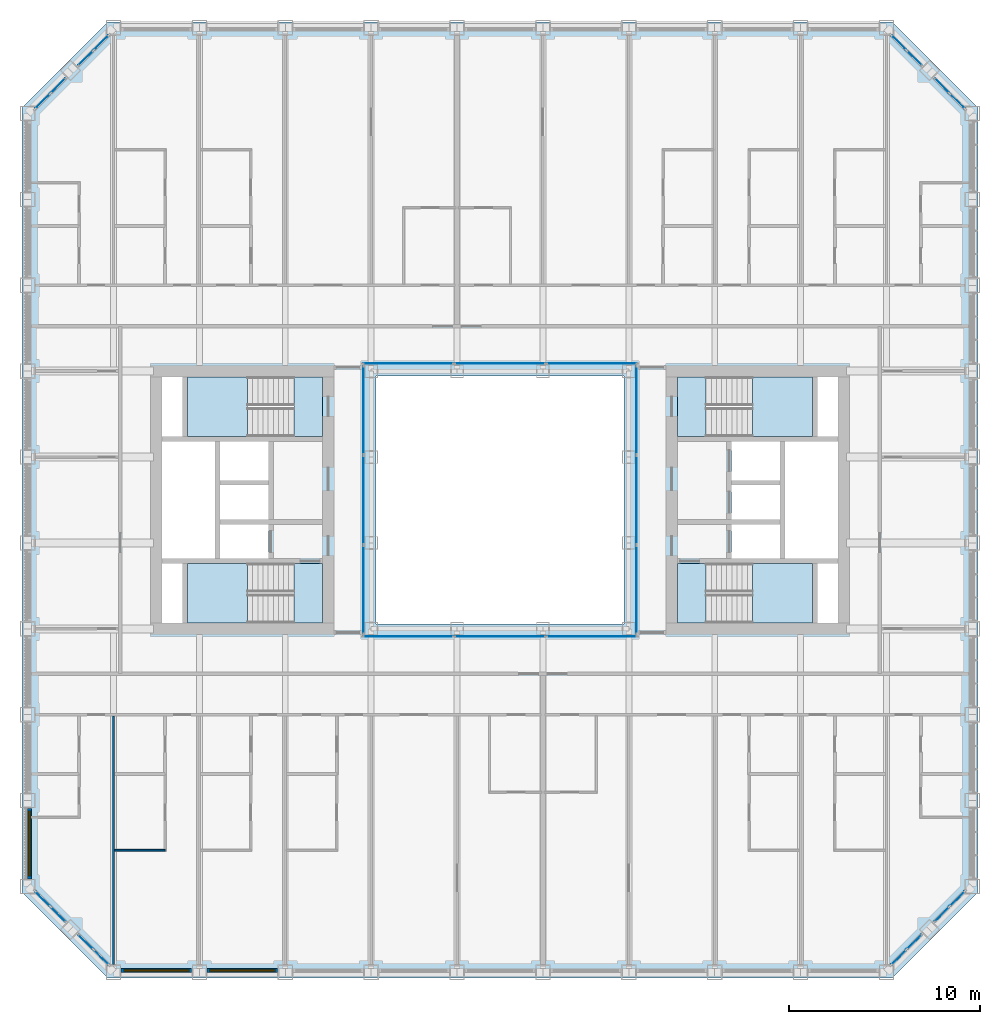
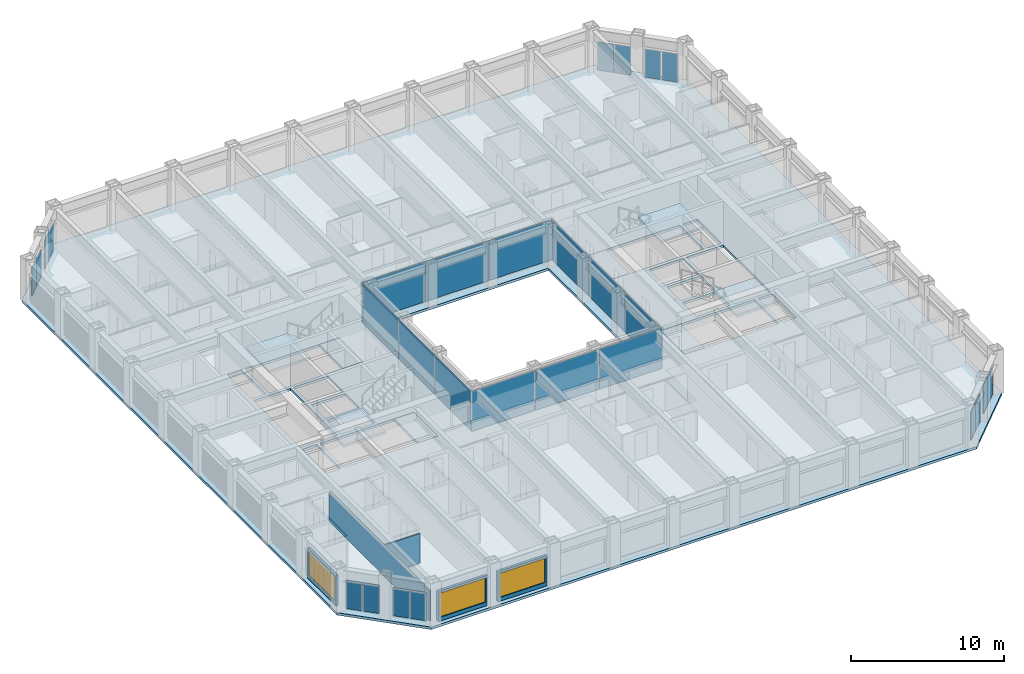
# One storey, part 8 of 21: 28 plates, 9 slabs, 5 walls, 3 windows, 3 openings, 16 elements without a shape of their own.
"""IFC4 building model written with IfcOpenShell, lengths in metres."""

from ifc_helpers import new_model, si_unit, direction, frame, frame_2d, origin, origin_2d, place, context, subcontext, project, spatial, polyline, rectangle, outline, extrude, material, layer, layer_set, type_object, element, fill, aggregate, save


model = new_model("IFC4")

# Units and contexts
model_context = context("Model", 3, precision=1e-05, world=origin(), true_north=direction((0.0, 1.0)))
body_context = subcontext(model_context, "Body", "Model", "MODEL_VIEW")
ifc_project = project(units=[si_unit("LENGTHUNIT", "METRE"), si_unit("AREAUNIT", "SQUARE_METRE"), si_unit("VOLUMEUNIT", "CUBIC_METRE"), si_unit("PLANEANGLEUNIT", "RADIAN"), si_unit("MASSUNIT", "GRAM", prefix="KILO")], contexts=[model_context])

# Site, building, storey
site_placement = place(None, origin())
site = spatial("IfcSite", under=ifc_project, at=site_placement, CompositionType="ELEMENT")
building_placement = place(site_placement, origin())
building = spatial("IfcBuilding", under=site, at=building_placement, Name="Msasa Ring Tower", CompositionType="ELEMENT")
storey_placement = place(building_placement, frame((0.0, 0.0, 79.0)))
storey = spatial("IfcBuildingStorey", under=building, at=storey_placement, Name="L20", CompositionType="ELEMENT", Elevation=79.0)

# Curtain wall, plates
ifc_material_1 = material(Name="Aluminium curtain wall with clear glass", Category="aluminium")
curtain_wall_type_1 = type_object("IfcCurtainWallType", Name="CW-C CHAMFER CORNER CURTAIN WALL", PredefinedType="NOTDEFINED", material=ifc_material_1)
curtain_wall_1_placement = place(storey_placement, origin())
curtain_wall_1 = element("IfcCurtainWall", 1, at=curtain_wall_1_placement, inside=storey, type_object=curtain_wall_type_1, Name="Chamfer corner curtain wall SE L20", PredefinedType="NOTDEFINED")
ifc_material_2 = material(Name="Clear laminated insulating glass unit", Category="glass")
ifc_layer_1 = layer(ifc_material_2, 0.031982421875)
ifc_layer_set_1 = layer_set([ifc_layer_1], Name="CW-C GLASS PANEL 32")
plate_type_1 = type_object("IfcPlateType", Name="CW-C GLASS PANEL 32", PredefinedType="CURTAIN_PANEL", material=ifc_layer_set_1)
plate_1_placement = place(storey_placement, frame((20.896484375, -23.962158203125, 0.06494140625), z_axis=(0.0, 0.0, 1.0), x_axis=(0.707106781187, 0.707106781187, 0.0)))
plate_1 = element("IfcPlate", 2, at=plate_1_placement, type_object=plate_type_1, Name="CW-C panel 1.1", PredefinedType="CURTAIN_PANEL", context=body_context, shape_type="SweptSolid", body=[
    extrude(rectangle(XDim=1.08837890625, YDim=0.031982421875, at=origin_2d()), origin(), (0.0, 0.0, 1.0), 2.2490234375),
])
plate_2_placement = place(storey_placement, frame((21.712158203125, -23.146484375, 0.06494140625), z_axis=(0.0, 0.0, 1.0), x_axis=(0.707106781187, 0.707106781187, 0.0)))
plate_2 = element("IfcPlate", 3, at=plate_2_placement, type_object=plate_type_1, Name="CW-C panel 2.1", PredefinedType="CURTAIN_PANEL", context=body_context, shape_type="SweptSolid", body=[
    extrude(rectangle(XDim=1.08837890625, YDim=0.031982421875, at=origin_2d()), origin(), (0.0, 0.0, 1.0), 2.2490234375),
])
aggregate(curtain_wall_1, [plate_1, plate_2])

curtain_wall_2_placement = place(storey_placement, origin())
curtain_wall_2 = element("IfcCurtainWall", 4, at=curtain_wall_2_placement, inside=storey, type_object=curtain_wall_type_1, Name="Chamfer corner curtain wall SE L20", PredefinedType="NOTDEFINED")
plate_3_placement = place(storey_placement, frame((23.146484375, -21.712158203125, 0.06494140625), z_axis=(0.0, 0.0, 1.0), x_axis=(0.707106781187, 0.707106781187, 0.0)))
plate_3 = element("IfcPlate", 5, at=plate_3_placement, type_object=plate_type_1, Name="CW-C panel 1.1", PredefinedType="CURTAIN_PANEL", context=body_context, shape_type="SweptSolid", body=[
    extrude(rectangle(XDim=1.08837890625, YDim=0.031982421875, at=origin_2d()), origin(), (0.0, 0.0, 1.0), 2.2490234375),
])
plate_4_placement = place(storey_placement, frame((23.962158203125, -20.896484375, 0.06494140625), z_axis=(0.0, 0.0, 1.0), x_axis=(0.707106781187, 0.707106781187, 0.0)))
plate_4 = element("IfcPlate", 6, at=plate_4_placement, type_object=plate_type_1, Name="CW-C panel 2.1", PredefinedType="CURTAIN_PANEL", context=body_context, shape_type="SweptSolid", body=[
    extrude(rectangle(XDim=1.08837890625, YDim=0.031982421875, at=origin_2d()), origin(), (0.0, 0.0, 1.0), 2.2490234375),
])
aggregate(curtain_wall_2, [plate_3, plate_4])

curtain_wall_3_placement = place(storey_placement, origin())
curtain_wall_3 = element("IfcCurtainWall", 7, at=curtain_wall_3_placement, inside=storey, type_object=curtain_wall_type_1, Name="Chamfer corner curtain wall NE L20", PredefinedType="NOTDEFINED")
plate_5_placement = place(storey_placement, frame((21.712158203125, 23.146484375, 0.06494140625), z_axis=(0.0, 0.0, 1.0), x_axis=(-0.707106781187, 0.707106781187, 0.0)))
plate_5 = element("IfcPlate", 8, at=plate_5_placement, type_object=plate_type_1, Name="CW-C panel 1.1", PredefinedType="CURTAIN_PANEL", context=body_context, shape_type="SweptSolid", body=[
    extrude(rectangle(XDim=1.08837890625, YDim=0.031982421875, at=origin_2d()), origin(), (0.0, 0.0, 1.0), 2.2490234375),
])
plate_6_placement = place(storey_placement, frame((20.896484375, 23.962158203125, 0.06494140625), z_axis=(0.0, 0.0, 1.0), x_axis=(-0.707106781187, 0.707106781187, 0.0)))
plate_6 = element("IfcPlate", 9, at=plate_6_placement, type_object=plate_type_1, Name="CW-C panel 2.1", PredefinedType="CURTAIN_PANEL", context=body_context, shape_type="SweptSolid", body=[
    extrude(rectangle(XDim=1.08837890625, YDim=0.031982421875, at=origin_2d()), origin(), (0.0, 0.0, 1.0), 2.2490234375),
])
aggregate(curtain_wall_3, [plate_5, plate_6])

curtain_wall_4_placement = place(storey_placement, origin())
curtain_wall_4 = element("IfcCurtainWall", 10, at=curtain_wall_4_placement, inside=storey, type_object=curtain_wall_type_1, Name="Chamfer corner curtain wall NE L20", PredefinedType="NOTDEFINED")
plate_7_placement = place(storey_placement, frame((23.962158203125, 20.896484375, 0.06494140625), z_axis=(0.0, 0.0, 1.0), x_axis=(-0.707106781187, 0.707106781187, 0.0)))
plate_7 = element("IfcPlate", 11, at=plate_7_placement, type_object=plate_type_1, Name="CW-C panel 1.1", PredefinedType="CURTAIN_PANEL", context=body_context, shape_type="SweptSolid", body=[
    extrude(rectangle(XDim=1.08837890625, YDim=0.031982421875, at=origin_2d()), origin(), (0.0, 0.0, 1.0), 2.2490234375),
])
plate_8_placement = place(storey_placement, frame((23.146484375, 21.712158203125, 0.06494140625), z_axis=(0.0, 0.0, 1.0), x_axis=(-0.707106781187, 0.707106781187, 0.0)))
plate_8 = element("IfcPlate", 12, at=plate_8_placement, type_object=plate_type_1, Name="CW-C panel 2.1", PredefinedType="CURTAIN_PANEL", context=body_context, shape_type="SweptSolid", body=[
    extrude(rectangle(XDim=1.08837890625, YDim=0.031982421875, at=origin_2d()), origin(), (0.0, 0.0, 1.0), 2.2490234375),
])
aggregate(curtain_wall_4, [plate_7, plate_8])

curtain_wall_5_placement = place(storey_placement, origin())
curtain_wall_5 = element("IfcCurtainWall", 13, at=curtain_wall_5_placement, inside=storey, type_object=curtain_wall_type_1, Name="Chamfer corner curtain wall NW L20", PredefinedType="NOTDEFINED")
plate_9_placement = place(storey_placement, frame((-23.146484375, 21.712158203125, 0.06494140625), z_axis=(0.0, 0.0, 1.0), x_axis=(-0.707106781187, -0.707106781187, 0.0)))
plate_9 = element("IfcPlate", 14, at=plate_9_placement, type_object=plate_type_1, Name="CW-C panel 1.1", PredefinedType="CURTAIN_PANEL", context=body_context, shape_type="SweptSolid", body=[
    extrude(rectangle(XDim=1.08837890625, YDim=0.031982421875, at=origin_2d()), origin(), (0.0, 0.0, 1.0), 2.2490234375),
])
plate_10_placement = place(storey_placement, frame((-23.962158203125, 20.896484375, 0.06494140625), z_axis=(0.0, 0.0, 1.0), x_axis=(-0.707106781187, -0.707106781187, 0.0)))
plate_10 = element("IfcPlate", 15, at=plate_10_placement, type_object=plate_type_1, Name="CW-C panel 2.1", PredefinedType="CURTAIN_PANEL", context=body_context, shape_type="SweptSolid", body=[
    extrude(rectangle(XDim=1.08837890625, YDim=0.031982421875, at=origin_2d()), origin(), (0.0, 0.0, 1.0), 2.2490234375),
])
aggregate(curtain_wall_5, [plate_9, plate_10])

curtain_wall_6_placement = place(storey_placement, origin())
curtain_wall_6 = element("IfcCurtainWall", 16, at=curtain_wall_6_placement, inside=storey, type_object=curtain_wall_type_1, Name="Chamfer corner curtain wall NW L20", PredefinedType="NOTDEFINED")
plate_11_placement = place(storey_placement, frame((-20.896484375, 23.962158203125, 0.06494140625), z_axis=(0.0, 0.0, 1.0), x_axis=(-0.707106781187, -0.707106781187, 0.0)))
plate_11 = element("IfcPlate", 17, at=plate_11_placement, type_object=plate_type_1, Name="CW-C panel 1.1", PredefinedType="CURTAIN_PANEL", context=body_context, shape_type="SweptSolid", body=[
    extrude(rectangle(XDim=1.08837890625, YDim=0.031982421875, at=origin_2d()), origin(), (0.0, 0.0, 1.0), 2.2490234375),
])
plate_12_placement = place(storey_placement, frame((-21.712158203125, 23.146484375, 0.06494140625), z_axis=(0.0, 0.0, 1.0), x_axis=(-0.707106781187, -0.707106781187, 0.0)))
plate_12 = element("IfcPlate", 18, at=plate_12_placement, type_object=plate_type_1, Name="CW-C panel 2.1", PredefinedType="CURTAIN_PANEL", context=body_context, shape_type="SweptSolid", body=[
    extrude(rectangle(XDim=1.08837890625, YDim=0.031982421875, at=origin_2d()), origin(), (0.0, 0.0, 1.0), 2.2490234375),
])
aggregate(curtain_wall_6, [plate_11, plate_12])

curtain_wall_7_placement = place(storey_placement, origin())
curtain_wall_7 = element("IfcCurtainWall", 19, at=curtain_wall_7_placement, inside=storey, type_object=curtain_wall_type_1, Name="Chamfer corner curtain wall SW L20", PredefinedType="NOTDEFINED")
plate_13_placement = place(storey_placement, frame((-23.962158203125, -20.896484375, 0.06494140625), z_axis=(0.0, 0.0, 1.0), x_axis=(0.707106781187, -0.707106781187, 0.0)))
plate_13 = element("IfcPlate", 20, at=plate_13_placement, type_object=plate_type_1, Name="CW-C panel 1.1", PredefinedType="CURTAIN_PANEL", context=body_context, shape_type="SweptSolid", body=[
    extrude(rectangle(XDim=1.08837890625, YDim=0.031982421875, at=origin_2d()), origin(), (0.0, 0.0, 1.0), 2.2490234375),
])
plate_14_placement = place(storey_placement, frame((-23.146484375, -21.712158203125, 0.06494140625), z_axis=(0.0, 0.0, 1.0), x_axis=(0.707106781187, -0.707106781187, 0.0)))
plate_14 = element("IfcPlate", 21, at=plate_14_placement, type_object=plate_type_1, Name="CW-C panel 2.1", PredefinedType="CURTAIN_PANEL", context=body_context, shape_type="SweptSolid", body=[
    extrude(rectangle(XDim=1.08837890625, YDim=0.031982421875, at=origin_2d()), origin(), (0.0, 0.0, 1.0), 2.2490234375),
])
aggregate(curtain_wall_7, [plate_13, plate_14])

curtain_wall_8_placement = place(storey_placement, origin())
curtain_wall_8 = element("IfcCurtainWall", 22, at=curtain_wall_8_placement, inside=storey, type_object=curtain_wall_type_1, Name="Chamfer corner curtain wall SW L20", PredefinedType="NOTDEFINED")
plate_15_placement = place(storey_placement, frame((-21.712158203125, -23.146484375, 0.06494140625), z_axis=(0.0, 0.0, 1.0), x_axis=(0.707106781187, -0.707106781187, 0.0)))
plate_15 = element("IfcPlate", 23, at=plate_15_placement, type_object=plate_type_1, Name="CW-C panel 1.1", PredefinedType="CURTAIN_PANEL", context=body_context, shape_type="SweptSolid", body=[
    extrude(rectangle(XDim=1.08837890625, YDim=0.031982421875, at=origin_2d()), origin(), (0.0, 0.0, 1.0), 2.2490234375),
])
plate_16_placement = place(storey_placement, frame((-20.896484375, -23.962158203125, 0.06494140625), z_axis=(0.0, 0.0, 1.0), x_axis=(0.707106781187, -0.707106781187, 0.0)))
plate_16 = element("IfcPlate", 24, at=plate_16_placement, type_object=plate_type_1, Name="CW-C panel 2.1", PredefinedType="CURTAIN_PANEL", context=body_context, shape_type="SweptSolid", body=[
    extrude(rectangle(XDim=1.08837890625, YDim=0.031982421875, at=origin_2d()), origin(), (0.0, 0.0, 1.0), 2.2490234375),
])
aggregate(curtain_wall_8, [plate_15, plate_16])

ifc_material_3 = material(Name="Aluminium curtain wall with clear glass", Category="aluminium")
curtain_wall_type_2 = type_object("IfcCurtainWallType", Name="CW-W LIGHT WELL CURTAIN WALL", PredefinedType="NOTDEFINED", material=ifc_material_3)
curtain_wall_9_placement = place(storey_placement, origin())
curtain_wall_9 = element("IfcCurtainWall", 25, at=curtain_wall_9_placement, inside=storey, type_object=curtain_wall_type_2, Name="Light well curtain wall N L20", PredefinedType="NOTDEFINED")
ifc_material_4 = material(Name="Clear laminated insulating glass unit", Category="glass")
ifc_layer_2 = layer(ifc_material_4, 0.028076171875)
ifc_layer_set_2 = layer_set([ifc_layer_2], Name="CW-W GLASS PANEL 28")
plate_type_2 = type_object("IfcPlateType", Name="CW-W GLASS PANEL 28", PredefinedType="CURTAIN_PANEL", material=ifc_layer_set_2)
plate_17_placement = place(storey_placement, frame((-4.804931640625, 7.14990234375, 0.06005859375), z_axis=(0.0, 0.0, 1.0), x_axis=(1.0, 0.0, 0.0)))
plate_17 = element("IfcPlate", 26, at=plate_17_placement, type_object=plate_type_2, Name="CW-W panel 1.1", PredefinedType="CURTAIN_PANEL", context=body_context, shape_type="SweptSolid", body=[
    extrude(rectangle(XDim=4.72998046875, YDim=0.028076171875, at=origin_2d()), origin(), (0.0, 0.0, 1.0), 3.179931640625),
])
plate_18_placement = place(storey_placement, frame((0.0, 7.14990234375, 0.06005859375), z_axis=(0.0, 0.0, 1.0), x_axis=(1.0, 0.0, 0.0)))
plate_18 = element("IfcPlate", 27, at=plate_18_placement, type_object=plate_type_2, Name="CW-W panel 2.1", PredefinedType="CURTAIN_PANEL", context=body_context, shape_type="SweptSolid", body=[
    extrude(rectangle(XDim=4.760009765625, YDim=0.028076171875, at=origin_2d()), origin(), (0.0, 0.0, 1.0), 3.179931640625),
])
plate_19_placement = place(storey_placement, frame((4.804931640625, 7.14990234375, 0.06005859375), z_axis=(0.0, 0.0, 1.0), x_axis=(1.0, 0.0, 0.0)))
plate_19 = element("IfcPlate", 28, at=plate_19_placement, type_object=plate_type_2, Name="CW-W panel 3.1", PredefinedType="CURTAIN_PANEL", context=body_context, shape_type="SweptSolid", body=[
    extrude(rectangle(XDim=4.72998046875, YDim=0.028076171875, at=origin_2d()), origin(), (0.0, 0.0, 1.0), 3.179931640625),
])
aggregate(curtain_wall_9, [plate_17, plate_18, plate_19])

curtain_wall_10_placement = place(storey_placement, origin())
curtain_wall_10 = element("IfcCurtainWall", 29, at=curtain_wall_10_placement, inside=storey, type_object=curtain_wall_type_2, Name="Light well curtain wall S L20", PredefinedType="NOTDEFINED")
plate_20_placement = place(storey_placement, frame((-4.804931640625, -7.14990234375, 0.06005859375), z_axis=(0.0, 0.0, 1.0), x_axis=(1.0, 0.0, 0.0)))
plate_20 = element("IfcPlate", 30, at=plate_20_placement, type_object=plate_type_2, Name="CW-W panel 1.1", PredefinedType="CURTAIN_PANEL", context=body_context, shape_type="SweptSolid", body=[
    extrude(rectangle(XDim=4.72998046875, YDim=0.028076171875, at=origin_2d()), origin(), (0.0, 0.0, 1.0), 3.179931640625),
])
plate_21_placement = place(storey_placement, frame((0.0, -7.14990234375, 0.06005859375), z_axis=(0.0, 0.0, 1.0), x_axis=(1.0, 0.0, 0.0)))
plate_21 = element("IfcPlate", 31, at=plate_21_placement, type_object=plate_type_2, Name="CW-W panel 2.1", PredefinedType="CURTAIN_PANEL", context=body_context, shape_type="SweptSolid", body=[
    extrude(rectangle(XDim=4.760009765625, YDim=0.028076171875, at=origin_2d()), origin(), (0.0, 0.0, 1.0), 3.179931640625),
])
plate_22_placement = place(storey_placement, frame((4.804931640625, -7.14990234375, 0.06005859375), z_axis=(0.0, 0.0, 1.0), x_axis=(1.0, 0.0, 0.0)))
plate_22 = element("IfcPlate", 32, at=plate_22_placement, type_object=plate_type_2, Name="CW-W panel 3.1", PredefinedType="CURTAIN_PANEL", context=body_context, shape_type="SweptSolid", body=[
    extrude(rectangle(XDim=4.72998046875, YDim=0.028076171875, at=origin_2d()), origin(), (0.0, 0.0, 1.0), 3.179931640625),
])
aggregate(curtain_wall_10, [plate_20, plate_21, plate_22])

curtain_wall_11_placement = place(storey_placement, origin())
curtain_wall_11 = element("IfcCurtainWall", 33, at=curtain_wall_11_placement, inside=storey, type_object=curtain_wall_type_2, Name="Light well curtain wall E L20", PredefinedType="NOTDEFINED")
plate_23_placement = place(storey_placement, frame((7.14990234375, -4.6982421875, 0.06005859375), z_axis=(0.0, 0.0, 1.0), x_axis=(0.0, 1.0, 0.0)))
plate_23 = element("IfcPlate", 34, at=plate_23_placement, type_object=plate_type_2, Name="CW-W panel 1.1", PredefinedType="CURTAIN_PANEL", context=body_context, shape_type="SweptSolid", body=[
    extrude(rectangle(XDim=4.623291015625, YDim=0.028076171875, at=origin_2d()), origin(), (0.0, 0.0, 1.0), 3.179931640625),
])
plate_24_placement = place(storey_placement, frame((7.14990234375, 0.0, 0.06005859375), z_axis=(0.0, 0.0, 1.0), x_axis=(0.0, 1.0, 0.0)))
plate_24 = element("IfcPlate", 35, at=plate_24_placement, type_object=plate_type_2, Name="CW-W panel 2.1", PredefinedType="CURTAIN_PANEL", context=body_context, shape_type="SweptSolid", body=[
    extrude(rectangle(XDim=4.6533203125, YDim=0.028076171875, at=origin_2d()), origin(), (0.0, 0.0, 1.0), 3.179931640625),
])
plate_25_placement = place(storey_placement, frame((7.14990234375, 4.6982421875, 0.06005859375), z_axis=(0.0, 0.0, 1.0), x_axis=(0.0, 1.0, 0.0)))
plate_25 = element("IfcPlate", 36, at=plate_25_placement, type_object=plate_type_2, Name="CW-W panel 3.1", PredefinedType="CURTAIN_PANEL", context=body_context, shape_type="SweptSolid", body=[
    extrude(rectangle(XDim=4.623291015625, YDim=0.028076171875, at=origin_2d()), origin(), (0.0, 0.0, 1.0), 3.179931640625),
])
aggregate(curtain_wall_11, [plate_23, plate_24, plate_25])

curtain_wall_12_placement = place(storey_placement, origin())
curtain_wall_12 = element("IfcCurtainWall", 37, at=curtain_wall_12_placement, inside=storey, type_object=curtain_wall_type_2, Name="Light well curtain wall W L20", PredefinedType="NOTDEFINED")
plate_26_placement = place(storey_placement, frame((-7.14990234375, -4.6982421875, 0.06005859375), z_axis=(0.0, 0.0, 1.0), x_axis=(0.0, 1.0, 0.0)))
plate_26 = element("IfcPlate", 38, at=plate_26_placement, type_object=plate_type_2, Name="CW-W panel 1.1", PredefinedType="CURTAIN_PANEL", context=body_context, shape_type="SweptSolid", body=[
    extrude(rectangle(XDim=4.623291015625, YDim=0.028076171875, at=origin_2d()), origin(), (0.0, 0.0, 1.0), 3.179931640625),
])
plate_27_placement = place(storey_placement, frame((-7.14990234375, 0.0, 0.06005859375), z_axis=(0.0, 0.0, 1.0), x_axis=(0.0, 1.0, 0.0)))
plate_27 = element("IfcPlate", 39, at=plate_27_placement, type_object=plate_type_2, Name="CW-W panel 2.1", PredefinedType="CURTAIN_PANEL", context=body_context, shape_type="SweptSolid", body=[
    extrude(rectangle(XDim=4.6533203125, YDim=0.028076171875, at=origin_2d()), origin(), (0.0, 0.0, 1.0), 3.179931640625),
])
plate_28_placement = place(storey_placement, frame((-7.14990234375, 4.6982421875, 0.06005859375), z_axis=(0.0, 0.0, 1.0), x_axis=(0.0, 1.0, 0.0)))
plate_28 = element("IfcPlate", 40, at=plate_28_placement, type_object=plate_type_2, Name="CW-W panel 3.1", PredefinedType="CURTAIN_PANEL", context=body_context, shape_type="SweptSolid", body=[
    extrude(rectangle(XDim=4.623291015625, YDim=0.028076171875, at=origin_2d()), origin(), (0.0, 0.0, 1.0), 3.179931640625),
])
aggregate(curtain_wall_12, [plate_26, plate_27, plate_28])

# Stair, slabs
ifc_material_5 = material(Name="Concrete C40/50", Category="concrete")
stair_type = type_object("IfcStairType", Name="STC CORE STAIR 20 RISERS 175", PredefinedType="HALF_TURN_STAIR", material=ifc_material_5)
stair_1_placement = place(storey_placement, origin())
stair_1 = element("IfcStair", 41, at=stair_1_placement, inside=storey, type_object=stair_type, Name="Core stair SEA L20", PredefinedType="HALF_TURN_STAIR")
ifc_material_6 = material(Name="Concrete C40/50", Category="concrete")
ifc_layer_3 = layer(ifc_material_6, 0.199951171875)
ifc_layer_set_3 = layer_set([ifc_layer_3], Name="LD1 CORE STAIR LANDING 200")
slab_type_1 = type_object("IfcSlabType", Name="LD1 CORE STAIR LANDING 200", PredefinedType="LANDING", material=ifc_layer_set_3)
slab_1_placement = place(storey_placement, frame((0.0, 0.0, -0.199951171875)))
slab_1 = element("IfcSlab", 42, at=slab_1_placement, type_object=slab_type_1, Name="SEA landing 1", PredefinedType="LANDING", context=body_context, shape_type="SweptSolid", body=[
    extrude(outline(polyline([(9.300048828125, -6.449951171875), (10.800048828125, -6.449951171875), (10.800048828125, -3.324951171875), (9.300048828125, -3.324951171875), (9.300048828125, -6.449951171875)])), origin(), (0.0, 0.0, 1.0), 0.199951171875),
])
slab_2_placement = place(storey_placement, frame((0.0, 0.0, 1.550048828125)))
slab_2 = element("IfcSlab", 43, at=slab_2_placement, type_object=slab_type_1, Name="SEA landing 2", PredefinedType="LANDING", context=body_context, shape_type="SweptSolid", body=[
    extrude(outline(polyline([(13.22998046875, -6.449951171875), (16.375, -6.449951171875), (16.375, -3.324951171875), (13.22998046875, -3.324951171875), (13.22998046875, -6.449951171875)])), origin(), (0.0, 0.0, 1.0), 0.199951171875),
])
aggregate(stair_1, [slab_1, slab_2])

stair_2_placement = place(storey_placement, origin())
stair_2 = element("IfcStair", 44, at=stair_2_placement, inside=storey, type_object=stair_type, Name="Core stair SEB L20", PredefinedType="HALF_TURN_STAIR")
slab_3_placement = place(storey_placement, frame((0.0, 0.0, -0.199951171875)))
slab_3 = element("IfcSlab", 45, at=slab_3_placement, type_object=slab_type_1, Name="SEB landing 1", PredefinedType="LANDING", context=body_context, shape_type="SweptSolid", body=[
    extrude(outline(polyline([(9.300048828125, 3.324951171875), (10.800048828125, 3.324951171875), (10.800048828125, 6.449951171875), (9.300048828125, 6.449951171875), (9.300048828125, 3.324951171875)])), origin(), (0.0, 0.0, 1.0), 0.199951171875),
])
slab_4_placement = place(storey_placement, frame((0.0, 0.0, 1.550048828125)))
slab_4 = element("IfcSlab", 46, at=slab_4_placement, type_object=slab_type_1, Name="SEB landing 2", PredefinedType="LANDING", context=body_context, shape_type="SweptSolid", body=[
    extrude(outline(polyline([(13.22998046875, 3.324951171875), (16.375, 3.324951171875), (16.375, 6.449951171875), (13.22998046875, 6.449951171875), (13.22998046875, 3.324951171875)])), origin(), (0.0, 0.0, 1.0), 0.199951171875),
])
aggregate(stair_2, [slab_3, slab_4])

stair_3_placement = place(storey_placement, origin())
stair_3 = element("IfcStair", 47, at=stair_3_placement, inside=storey, type_object=stair_type, Name="Core stair SWA L20", PredefinedType="HALF_TURN_STAIR")
slab_5_placement = place(storey_placement, frame((0.0, 0.0, -0.199951171875)))
slab_5 = element("IfcSlab", 48, at=slab_5_placement, type_object=slab_type_1, Name="SWA landing 1", PredefinedType="LANDING", context=body_context, shape_type="SweptSolid", body=[
    extrude(outline(polyline([(-10.800048828125, -6.449951171875), (-9.300048828125, -6.449951171875), (-9.300048828125, -3.324951171875), (-10.800048828125, -3.324951171875), (-10.800048828125, -6.449951171875)])), origin(), (0.0, 0.0, 1.0), 0.199951171875),
])
slab_6_placement = place(storey_placement, frame((0.0, 0.0, 1.550048828125)))
slab_6 = element("IfcSlab", 49, at=slab_6_placement, type_object=slab_type_1, Name="SWA landing 2", PredefinedType="LANDING", context=body_context, shape_type="SweptSolid", body=[
    extrude(outline(polyline([(-16.375, -6.449951171875), (-13.22998046875, -6.449951171875), (-13.22998046875, -3.324951171875), (-16.375, -3.324951171875), (-16.375, -6.449951171875)])), origin(), (0.0, 0.0, 1.0), 0.199951171875),
])
aggregate(stair_3, [slab_5, slab_6])

stair_4_placement = place(storey_placement, origin())
stair_4 = element("IfcStair", 50, at=stair_4_placement, inside=storey, type_object=stair_type, Name="Core stair SWB L20", PredefinedType="HALF_TURN_STAIR")
slab_7_placement = place(storey_placement, frame((0.0, 0.0, -0.199951171875)))
slab_7 = element("IfcSlab", 51, at=slab_7_placement, type_object=slab_type_1, Name="SWB landing 1", PredefinedType="LANDING", context=body_context, shape_type="SweptSolid", body=[
    extrude(outline(polyline([(-10.800048828125, 3.324951171875), (-9.300048828125, 3.324951171875), (-9.300048828125, 6.449951171875), (-10.800048828125, 6.449951171875), (-10.800048828125, 3.324951171875)])), origin(), (0.0, 0.0, 1.0), 0.199951171875),
])
slab_8_placement = place(storey_placement, frame((0.0, 0.0, 1.550048828125)))
slab_8 = element("IfcSlab", 52, at=slab_8_placement, type_object=slab_type_1, Name="SWB landing 2", PredefinedType="LANDING", context=body_context, shape_type="SweptSolid", body=[
    extrude(outline(polyline([(-16.375, 3.324951171875), (-13.22998046875, 3.324951171875), (-13.22998046875, 6.449951171875), (-16.375, 6.449951171875), (-16.375, 3.324951171875)])), origin(), (0.0, 0.0, 1.0), 0.199951171875),
])
aggregate(stair_4, [slab_7, slab_8])

# Slab
ifc_material_7 = material(Name="Concrete C40/50", Category="concrete")
ifc_layer_4 = layer(ifc_material_7, 0.199951171875)
ifc_layer_set_4 = layer_set([ifc_layer_4], Name="S3 RESIDENCE FLOOR 200")
slab_type_2 = type_object("IfcSlabType", Name="S3 RESIDENCE FLOOR 200", PredefinedType="FLOOR", material=ifc_layer_set_4)
slab_9_placement = place(storey_placement, frame((0.0, 0.0, -0.199951171875)))
element("IfcSlab", 53, at=slab_9_placement, inside=storey, type_object=slab_type_2, Name="Floor slab L20", PredefinedType="FLOOR", context=body_context, shape_type="SweptSolid", body=[
    extrude(outline(polyline([(-20.550048828125, -25.050048828125), (20.550048828125, -25.050048828125), (25.050048828125, -20.550048828125), (25.050048828125, 20.550048828125), (20.550048828125, 25.050048828125), (-20.550048828125, 25.050048828125), (-25.050048828125, 20.550048828125), (-25.050048828125, -20.550048828125), (-20.550048828125, -25.050048828125)]), holes=[polyline([(-6.5, -6.5), (6.5, -6.5), (6.5, 6.5), (-6.5, 6.5), (-6.5, -6.5)]), polyline([(9.300048828125, -6.449951171875), (16.375, -6.449951171875), (16.375, -3.324951171875), (9.300048828125, -3.324951171875), (9.300048828125, -6.449951171875)]), polyline([(9.300048828125, 3.324951171875), (16.375, 3.324951171875), (16.375, 6.449951171875), (9.300048828125, 6.449951171875), (9.300048828125, 3.324951171875)]), polyline([(12.125, -3.074951171875), (14.675048828125, -3.074951171875), (14.675048828125, -1.27490234375), (12.125, -1.27490234375), (12.125, -3.074951171875)]), polyline([(12.125, -1.02490234375), (14.675048828125, -1.02490234375), (14.675048828125, 0.77490234375), (12.125, 0.77490234375), (12.125, -1.02490234375)]), polyline([(12.125, 1.02490234375), (14.675048828125, 1.02490234375), (14.675048828125, 3.074951171875), (12.125, 3.074951171875), (12.125, 1.02490234375)]), polyline([(16.625, -6.449951171875), (17.699951171875, -6.449951171875), (17.699951171875, -3.324951171875), (16.625, -3.324951171875), (16.625, -6.449951171875)]), polyline([(16.625, 3.324951171875), (17.699951171875, 3.324951171875), (17.699951171875, 6.449951171875), (16.625, 6.449951171875), (16.625, 3.324951171875)]), polyline([(14.925048828125, -3.074951171875), (17.699951171875, -3.074951171875), (17.699951171875, 3.074951171875), (14.925048828125, 3.074951171875), (14.925048828125, -3.074951171875)]), polyline([(-16.375, -6.449951171875), (-9.300048828125, -6.449951171875), (-9.300048828125, -3.324951171875), (-16.375, -3.324951171875), (-16.375, -6.449951171875)]), polyline([(-16.375, 3.324951171875), (-9.300048828125, 3.324951171875), (-9.300048828125, 6.449951171875), (-16.375, 6.449951171875), (-16.375, 3.324951171875)]), polyline([(-14.675048828125, -3.074951171875), (-12.125, -3.074951171875), (-12.125, -1.27490234375), (-14.675048828125, -1.27490234375), (-14.675048828125, -3.074951171875)]), polyline([(-14.675048828125, -1.02490234375), (-12.125, -1.02490234375), (-12.125, 0.77490234375), (-14.675048828125, 0.77490234375), (-14.675048828125, -1.02490234375)]), polyline([(-14.675048828125, 1.02490234375), (-12.125, 1.02490234375), (-12.125, 3.074951171875), (-14.675048828125, 3.074951171875), (-14.675048828125, 1.02490234375)]), polyline([(-17.699951171875, -6.449951171875), (-16.625, -6.449951171875), (-16.625, -3.324951171875), (-17.699951171875, -3.324951171875), (-17.699951171875, -6.449951171875)]), polyline([(-17.699951171875, 3.324951171875), (-16.625, 3.324951171875), (-16.625, 6.449951171875), (-17.699951171875, 6.449951171875), (-17.699951171875, 3.324951171875)]), polyline([(-17.699951171875, -3.074951171875), (-14.925048828125, -3.074951171875), (-14.925048828125, 3.074951171875), (-17.699951171875, 3.074951171875), (-17.699951171875, -3.074951171875)])]), origin(), (0.0, 0.0, 1.0), 0.199951171875),
])

# Wall, opening, window
ifc_material_8 = material(Name="Terracotta rainscreen on blockwork", Category="masonry")
ifc_layer_5 = layer(ifc_material_8, 0.199951171875)
ifc_layer_set_5 = layer_set([ifc_layer_5], Name="FW1 TERRACOTTA-LINED INFILL BAY WALL 200")
wall_type_1 = type_object("IfcWallType", Name="FW1 TERRACOTTA-LINED INFILL BAY WALL 200", PredefinedType="SOLIDWALL", material=ifc_layer_set_5)
wall_1_placement = place(storey_placement, frame((-19.844970703125, -24.64990234375, 0.0), z_axis=(0.0, 0.0, 1.0), x_axis=(1.0, 0.0, 0.0)))
wall_1 = element("IfcWall", 54, at=wall_1_placement, inside=storey, type_object=wall_type_1, Name="Infill bay wall S L20 00", PredefinedType="SOLIDWALL", context=body_context, shape_type="SweptSolid", body=[
    extrude(rectangle(XDim=3.68994140625, YDim=0.199951171875, at=frame_2d((1.844970703125, 0.0))), origin(), (0.0, 0.0, 1.0), 2.37890625),
])
opening_1_placement = place(wall_1_placement, frame((0.14501953125, 0.0, 0.300048828125)))
opening_1 = element("IfcOpeningElement", 55, at=opening_1_placement, cuts=wall_1, Name="Opening WN1", PredefinedType="OPENING", context=body_context, shape_type="SweptSolid", body=[
    extrude(rectangle(XDim=3.39990234375, YDim=1.928955078125, at=frame_2d((1.699951171875, 0.96435546875))), frame((0.0, 0.10986328125, 0.0), z_axis=(0.0, -1.0, 0.0), x_axis=(1.0, 0.0, 0.0)), (0.0, 0.0, 1.0), 0.219970703125),
])
ifc_material_9 = material(Name="Aluminium frame with clear glass", Category="aluminium")
window_type = type_object("IfcWindowType", Name="WN1 RESIDENCE WINDOW 3400x1929", PartitioningType="SINGLE_PANEL", PredefinedType="WINDOW", material=ifc_material_9)
window_1_placement = place(opening_1_placement, origin())
window_1 = element("IfcWindow", 56, at=window_1_placement, inside=storey, type_object=window_type, Name="Window S L20 00", OverallHeight=1.928955078125, OverallWidth=3.39990234375, PartitioningType="SINGLE_PANEL", PredefinedType="WINDOW", context=body_context, shape_type="SweptSolid", body=[
    extrude(rectangle(XDim=3.39990234375, YDim=1.928955078125, at=frame_2d((1.699951171875, 0.96435546875))), frame((0.0, 0.030029296875, 0.0), z_axis=(0.0, -1.0, 0.0), x_axis=(1.0, 0.0, 0.0)), (0.0, 0.0, 1.0), 0.06005859375),
])
fill(opening_1, window_1)

wall_2_placement = place(storey_placement, frame((-15.344970703125, -24.64990234375, 0.0), z_axis=(0.0, 0.0, 1.0), x_axis=(1.0, 0.0, 0.0)))
wall_2 = element("IfcWall", 57, at=wall_2_placement, inside=storey, type_object=wall_type_1, Name="Infill bay wall S L20 01", PredefinedType="SOLIDWALL", context=body_context, shape_type="SweptSolid", body=[
    extrude(rectangle(XDim=3.68994140625, YDim=0.199951171875, at=frame_2d((1.844970703125, 0.0))), origin(), (0.0, 0.0, 1.0), 2.37890625),
])
opening_2_placement = place(wall_2_placement, frame((0.14501953125, 0.0, 0.300048828125)))
opening_2 = element("IfcOpeningElement", 58, at=opening_2_placement, cuts=wall_2, Name="Opening WN1", PredefinedType="OPENING", context=body_context, shape_type="SweptSolid", body=[
    extrude(rectangle(XDim=3.39990234375, YDim=1.928955078125, at=frame_2d((1.699951171875, 0.96435546875))), frame((0.0, 0.10986328125, 0.0), z_axis=(0.0, -1.0, 0.0), x_axis=(1.0, 0.0, 0.0)), (0.0, 0.0, 1.0), 0.219970703125),
])
window_2_placement = place(opening_2_placement, origin())
window_2 = element("IfcWindow", 59, at=window_2_placement, inside=storey, type_object=window_type, Name="Window S L20 01", OverallHeight=1.928955078125, OverallWidth=3.39990234375, PartitioningType="SINGLE_PANEL", PredefinedType="WINDOW", context=body_context, shape_type="SweptSolid", body=[
    extrude(rectangle(XDim=3.39990234375, YDim=1.928955078125, at=frame_2d((1.699951171875, 0.96435546875))), frame((0.0, 0.030029296875, 0.0), z_axis=(0.0, -1.0, 0.0), x_axis=(1.0, 0.0, 0.0)), (0.0, 0.0, 1.0), 0.06005859375),
])
fill(opening_2, window_2)

wall_3_placement = place(storey_placement, frame((-24.64990234375, -19.844970703125, 0.0), z_axis=(0.0, 0.0, 1.0), x_axis=(0.0, 1.0, 0.0)))
wall_3 = element("IfcWall", 60, at=wall_3_placement, inside=storey, type_object=wall_type_1, Name="Infill bay wall W L20 33", PredefinedType="SOLIDWALL", context=body_context, shape_type="SweptSolid", body=[
    extrude(rectangle(XDim=3.68994140625, YDim=0.199951171875, at=frame_2d((1.844970703125, 0.0))), origin(), (0.0, 0.0, 1.0), 2.37890625),
])
opening_3_placement = place(wall_3_placement, frame((0.14501953125, 0.0, 0.300048828125)))
opening_3 = element("IfcOpeningElement", 61, at=opening_3_placement, cuts=wall_3, Name="Opening WN1", PredefinedType="OPENING", context=body_context, shape_type="SweptSolid", body=[
    extrude(rectangle(XDim=3.39990234375, YDim=1.928955078125, at=frame_2d((1.699951171875, 0.96435546875))), frame((0.0, 0.10986328125, 0.0), z_axis=(0.0, -1.0, 0.0), x_axis=(1.0, 0.0, 0.0)), (0.0, 0.0, 1.0), 0.219970703125),
])
window_3_placement = place(opening_3_placement, origin())
window_3 = element("IfcWindow", 62, at=window_3_placement, inside=storey, type_object=window_type, Name="Window W L20 33", OverallHeight=1.928955078125, OverallWidth=3.39990234375, PartitioningType="SINGLE_PANEL", PredefinedType="WINDOW", context=body_context, shape_type="SweptSolid", body=[
    extrude(rectangle(XDim=3.39990234375, YDim=1.928955078125, at=frame_2d((1.699951171875, 0.96435546875))), frame((0.0, 0.030029296875, 0.0), z_axis=(0.0, -1.0, 0.0), x_axis=(1.0, 0.0, 0.0)), (0.0, 0.0, 1.0), 0.06005859375),
])
fill(opening_3, window_3)

# Walls
ifc_material_10 = material(Name="Gypsum board on steel studs", Category="steel")
ifc_layer_6 = layer(ifc_material_10, 0.10009765625)
ifc_layer_set_6 = layer_set([ifc_layer_6], Name="PT2 STUD PARTITION 100")
wall_type_2 = type_object("IfcWallType", Name="PT2 STUD PARTITION 100", PredefinedType="PARTITIONING", material=ifc_layer_set_6)
wall_4_placement = place(storey_placement, frame((-20.18994140625, -18.350341796875, 0.0), z_axis=(0.0, 0.0, 1.0), x_axis=(1.0, 0.0, 0.0)))
element("IfcWall", 63, at=wall_4_placement, inside=storey, type_object=wall_type_2, Name="Partition L20-VSWWY3", PredefinedType="PARTITIONING", context=body_context, shape_type="SweptSolid", body=[
    extrude(rectangle(XDim=2.639892578125, YDim=0.10009765625, at=frame_2d((1.31982421875, 0.0))), origin(), (0.0, 0.0, 1.0), 2.373291015625),
])
ifc_material_11 = material(Name="Two layers of acoustic board each face on steel studs, mineral wool", Category="steel")
ifc_layer_7 = layer(ifc_material_11, 0.125)
ifc_layer_set_7 = layer_set([ifc_layer_7], Name="PT6 ACOUSTIC DOUBLE-BOARD PARTITION 125")
wall_type_3 = type_object("IfcWallType", Name="PT6 ACOUSTIC DOUBLE-BOARD PARTITION 125", PredefinedType="PARTITIONING", material=ifc_layer_set_7)
wall_5_placement = place(storey_placement, frame((-20.25, -24.35009765625, 0.0), z_axis=(0.0, 0.0, 1.0), x_axis=(0.0, 1.0, 0.0)))
element("IfcWall", 64, at=wall_5_placement, inside=storey, type_object=wall_type_3, Name="Partition L20-VSWP4", PredefinedType="PARTITIONING", context=body_context, shape_type="SweptSolid", body=[
    extrude(rectangle(XDim=13.03759765625, YDim=0.125, at=frame_2d((6.518798828125, 0.0))), origin(), (0.0, 0.0, 1.0), 2.373291015625),
])

save(model, "model.ifc")
